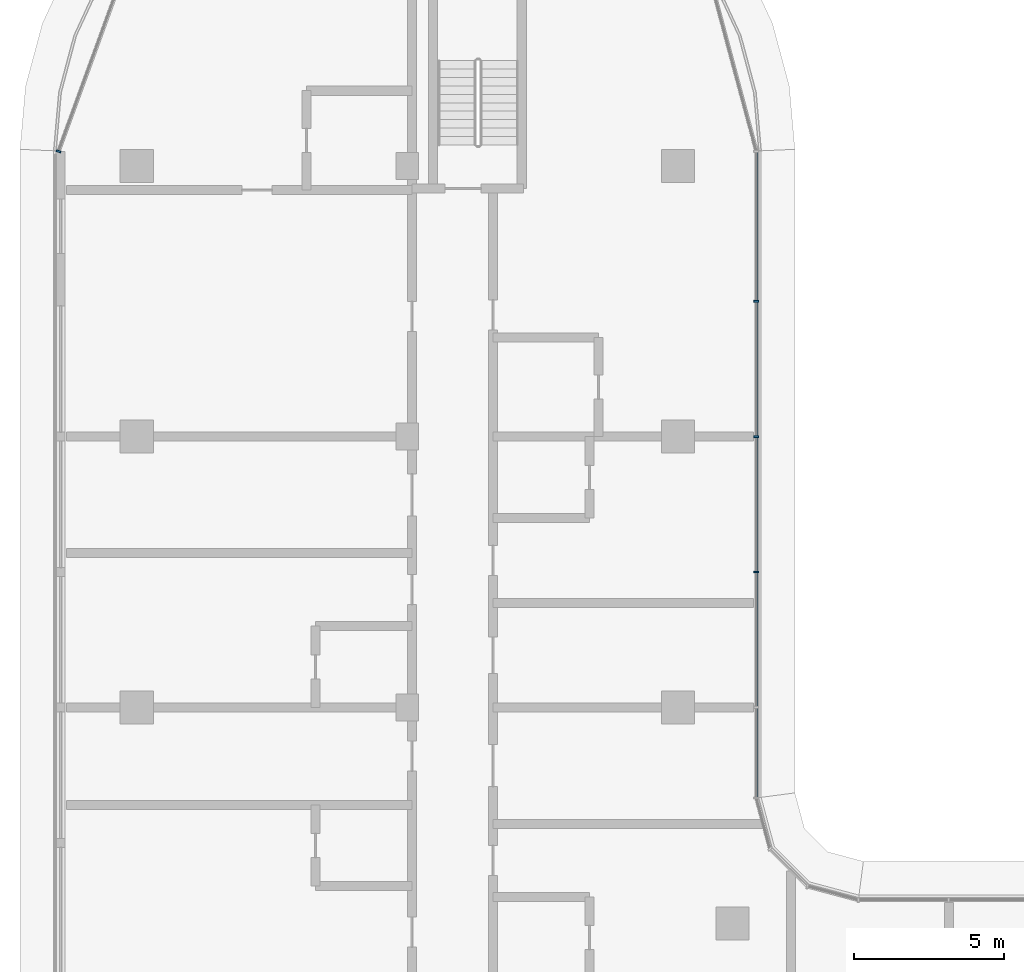
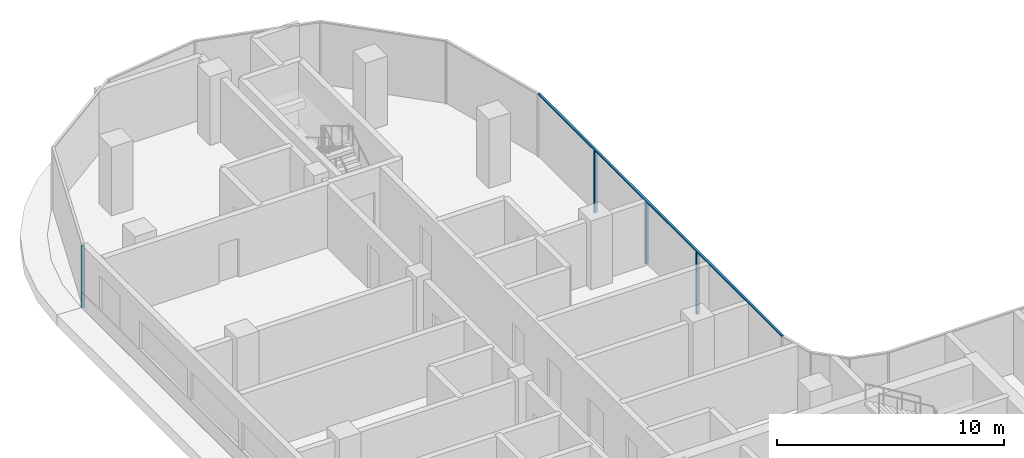
# One storey, part 6 of 23: 5 members, 2 elements without a shape of their own.
"""IFC4 building model written with IfcOpenShell, lengths in metres."""

from ifc_helpers import new_model, si_unit, direction, frame, origin, origin_2d, place, context, subcontext, project, spatial, rectangle, extrude, material, material_profile, profile_set, type_object, element, aggregate, save


model = new_model("IFC4")

# Units and contexts
model_context = context("Model", 3, precision=1e-05, world=origin(), true_north=direction((0.0, 1.0)))
body_context = subcontext(model_context, "Body", "Model", "MODEL_VIEW")
ifc_project = project(units=[si_unit("LENGTHUNIT", "METRE"), si_unit("AREAUNIT", "SQUARE_METRE"), si_unit("VOLUMEUNIT", "CUBIC_METRE"), si_unit("PLANEANGLEUNIT", "RADIAN"), si_unit("MASSUNIT", "GRAM", prefix="KILO")], contexts=[model_context])

# Site, building, storey
site_placement = place(None, origin())
site = spatial("IfcSite", under=ifc_project, at=site_placement, CompositionType="ELEMENT")
building_placement = place(site_placement, origin())
building = spatial("IfcBuilding", under=site, at=building_placement, Name="Ogive Portal Towers", CompositionType="ELEMENT")
storey_placement = place(building_placement, frame((0.0, 0.0, 179.199951171875)))
storey = spatial("IfcBuildingStorey", under=building, at=storey_placement, Name="L44", CompositionType="ELEMENT", Elevation=179.199951171875)

# Curtain wall, members
ifc_material_1 = material(Name="Glass, clear low-iron insulated glazing", Category="glass")
curtain_wall_type = type_object("IfcCurtainWallType", Name="CW FRONT RIBBON 4500", PredefinedType="NOTDEFINED", material=ifc_material_1)
curtain_wall_1_placement = place(storey_placement, origin())
curtain_wall_1 = element("IfcCurtainWall", 1, at=curtain_wall_1_placement, inside=storey, type_object=curtain_wall_type, Name="A:L44:f14:cw0", PredefinedType="NOTDEFINED")
ifc_material_2 = material(Name="Aluminium 6063 anodised", Category="aluminium")
ifc_material_profile_1 = material_profile(ifc_material_2, rectangle(XDim=0.159912109375, YDim=0.06005859375, at=origin_2d()), Name="AL 60x160")
ifc_profile_set_1 = profile_set([ifc_material_profile_1], Name="Aluminium 6063 anodised")
member_type_1 = type_object("IfcMemberType", Name="CW MULLION 60x160", PredefinedType="MULLION", material=ifc_profile_set_1)
member_1_placement = place(storey_placement, frame((52.10009765625, 53.0, 0.0), z_axis=(0.0, 0.0, 1.0), x_axis=(-1.0, 0.0, 0.0)))
member_1 = element("IfcMember", 2, at=member_1_placement, type_object=member_type_1, Name="mullion", PredefinedType="MULLION", context=body_context, shape_type="SweptSolid", body=[
    extrude(rectangle(XDim=0.159912109375, YDim=0.06005859375, at=origin_2d()), origin(), (0.0, 0.0, 1.0), 3.340087890625),
])
member_2_placement = place(storey_placement, frame((52.10009765625, 57.5, 0.0), z_axis=(0.0, 0.0, 1.0), x_axis=(-1.0, 0.0, 0.0)))
member_2 = element("IfcMember", 3, at=member_2_placement, type_object=member_type_1, Name="mullion", PredefinedType="MULLION", context=body_context, shape_type="SweptSolid", body=[
    extrude(rectangle(XDim=0.159912109375, YDim=0.06005859375, at=origin_2d()), origin(), (0.0, 0.0, 1.0), 3.340087890625),
])
member_3_placement = place(storey_placement, frame((52.10009765625, 62.0, 0.0), z_axis=(0.0, 0.0, 1.0), x_axis=(-1.0, 0.0, 0.0)))
member_3 = element("IfcMember", 4, at=member_3_placement, type_object=member_type_1, Name="mullion", PredefinedType="MULLION", context=body_context, shape_type="SweptSolid", body=[
    extrude(rectangle(XDim=0.159912109375, YDim=0.06005859375, at=origin_2d()), origin(), (0.0, 0.0, 1.0), 3.340087890625),
])

# Curtain wall, member
curtain_wall_2_placement = place(storey_placement, origin())
curtain_wall_2 = element("IfcCurtainWall", 5, at=curtain_wall_2_placement, inside=storey, type_object=curtain_wall_type, Name="A:L44:f15:cwa", PredefinedType="NOTDEFINED")
member_4_placement = place(storey_placement, frame((28.89990234375, 66.98583984375, 0.0), z_axis=(0.0, 0.0, 1.0), x_axis=(0.939692620786, -0.342020143326, 0.0)))
member_4 = element("IfcMember", 6, at=member_4_placement, type_object=member_type_1, Name="mullion", PredefinedType="MULLION", context=body_context, shape_type="SweptSolid", body=[
    extrude(rectangle(XDim=0.159912109375, YDim=0.06005859375, at=origin_2d()), origin(), (0.0, 0.0, 1.0), 3.340087890625),
])
aggregate(curtain_wall_2, [member_4])

# Member
ifc_material_profile_2 = material_profile(ifc_material_2, rectangle(XDim=0.1201171875, YDim=0.06005859375, at=origin_2d()), Name="AL 120x60")
ifc_profile_set_2 = profile_set([ifc_material_profile_2], Name="Aluminium 6063 anodised")
member_type_2 = type_object("IfcMemberType", Name="CW TRANSOM 60x120", PredefinedType="USERDEFINED", material=ifc_profile_set_2)
member_5_placement = place(storey_placement, frame((52.10009765625, 45.489501953125, 3.3701171875), z_axis=(0.0, 1.0, 0.0), x_axis=(-1.0, 0.0, 0.0)))
member_5 = element("IfcMember", 7, at=member_5_placement, type_object=member_type_2, Name="transom", ObjectType="TRANSOM", PredefinedType="USERDEFINED", context=body_context, shape_type="SweptSolid", body=[
    extrude(rectangle(XDim=0.1201171875, YDim=0.06005859375, at=origin_2d()), origin(), (0.0, 0.0, 1.0), 21.5),
])

aggregate(curtain_wall_1, [member_5, member_1, member_2, member_3])

save(model, "model.ifc")
